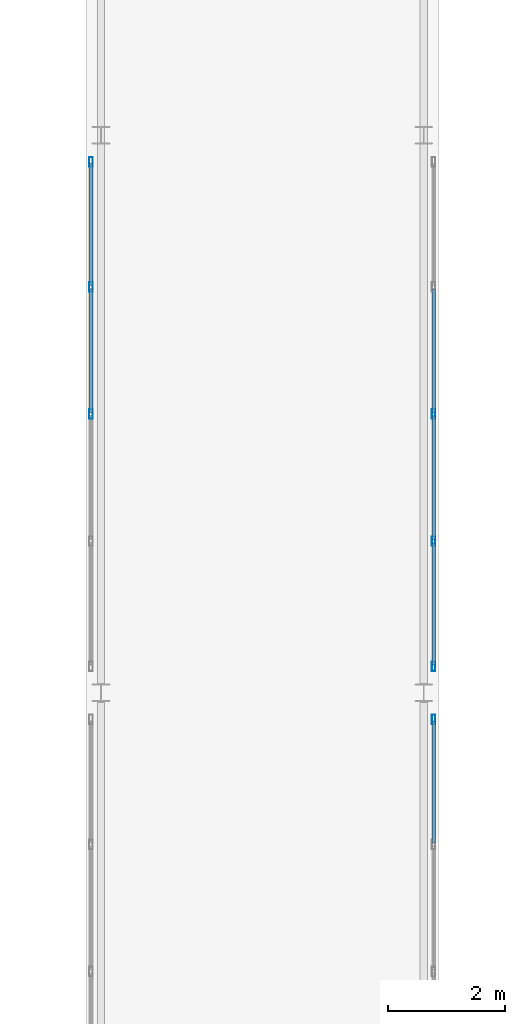
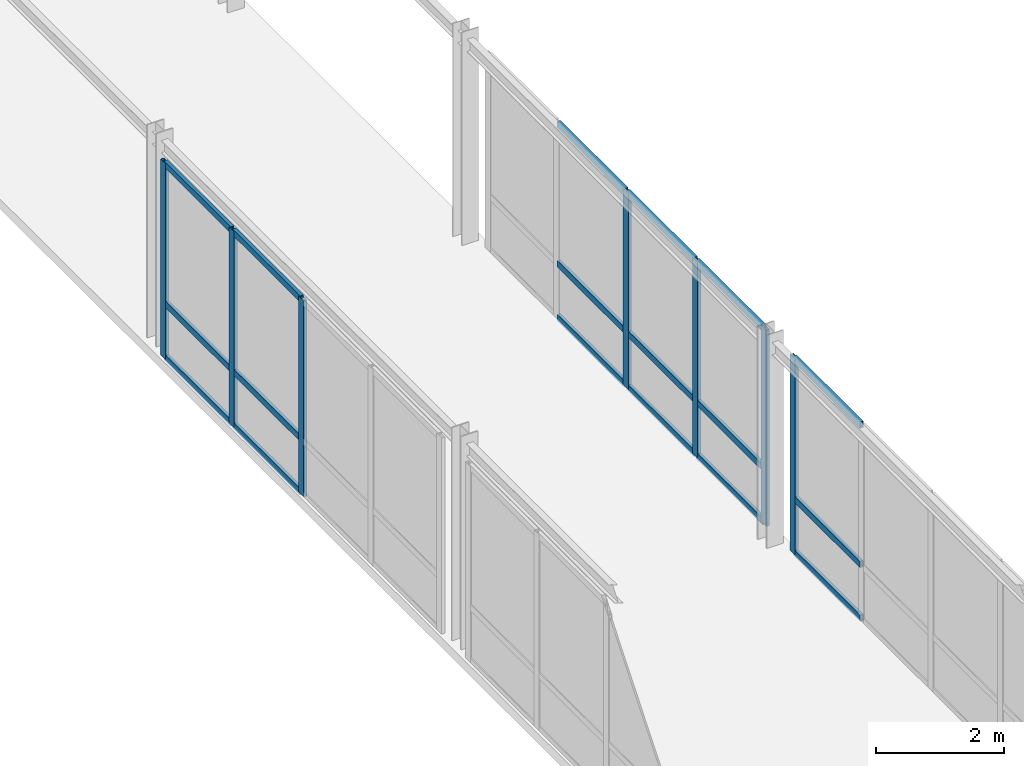
# One storey, part 43 of 165: 25 members, 3 elements without a shape of their own.
"""IFC4 building model written with IfcOpenShell, lengths in metres."""

from ifc_helpers import new_model, si_unit, direction, frame, origin, origin_2d, place, context, subcontext, project, spatial, hollow_rectangle, extrude, material, layer, layer_set, material_profile, profile_set, type_object, element, aggregate, save


model = new_model("IFC4")

# Units and contexts
model_context = context("Model", 3, precision=1e-05, world=origin(), true_north=direction((0.0, 1.0)))
body_context = subcontext(model_context, "Body", "Model", "MODEL_VIEW")
ifc_project = project(units=[si_unit("LENGTHUNIT", "METRE"), si_unit("AREAUNIT", "SQUARE_METRE"), si_unit("VOLUMEUNIT", "CUBIC_METRE"), si_unit("PLANEANGLEUNIT", "RADIAN"), si_unit("MASSUNIT", "GRAM", prefix="KILO")], contexts=[model_context])

# Site, building, storey
site_placement = place(None, origin())
site = spatial("IfcSite", under=ifc_project, at=site_placement, CompositionType="ELEMENT")
building_placement = place(site_placement, origin())
building = spatial("IfcBuilding", under=site, at=building_placement, Name="Montecoro Central Library", CompositionType="ELEMENT")
storey_placement = place(building_placement, frame((0.0, 0.0, 5.10009765625)))
storey = spatial("IfcBuildingStorey", under=building, at=storey_placement, Name="L01", CompositionType="ELEMENT", Elevation=5.10009765625)

# Curtain wall, members
ifc_material_1 = material(Name="Bronze-anodised aluminium and low-E glazing", Category="aluminium")
ifc_layer_1 = layer(ifc_material_1, 0.159912109375)
ifc_layer_set_1 = layer_set([ifc_layer_1], Name="Bronze-anodised aluminium and low-E glazing")
curtain_wall_type_1 = type_object("IfcCurtainWallType", Name="CWT-080", PredefinedType="NOTDEFINED", material=ifc_layer_set_1)
curtain_wall_1_placement = place(storey_placement, origin())
curtain_wall_1 = element("IfcCurtainWall", 1, at=curtain_wall_1_placement, inside=storey, type_object=curtain_wall_type_1, Name="BR-W-L01-CW-W2", PredefinedType="NOTDEFINED")
ifc_material_2 = material(Name="Bronze-anodised aluminium", Category="aluminium")
ifc_material_profile_1 = material_profile(ifc_material_2, hollow_rectangle(XDim=0.06005859375, YDim=0.159912109375, WallThickness=0.00390625, at=origin_2d()), Name="CWM 160x60x4.0")
ifc_profile_set_1 = profile_set([ifc_material_profile_1], Name="Bronze-anodised aluminium")
member_type_1 = type_object("IfcMemberType", Name="CWM-BRZ-60", PredefinedType="MULLION", material=ifc_profile_set_1)
member_1_placement = place(storey_placement, frame((24.8798828125, 59.14990234375, 0.0), z_axis=(0.0, 0.0, 1.0), x_axis=(-1.0, 0.0, 0.0)))
member_1 = element("IfcMember", 2, at=member_1_placement, type_object=member_type_1, Name="CW-080 mullion 3", PredefinedType="MULLION", context=body_context, shape_type="SweptSolid", body=[
    extrude(hollow_rectangle(XDim=0.06005859375, YDim=0.159912109375, WallThickness=0.00390625, at=origin_2d()), origin(), (0.0, 0.0, 1.0), 3.72998046875),
])
member_2_placement = place(storey_placement, frame((24.8798828125, 61.31494140625, 0.0), z_axis=(0.0, 0.0, 1.0), x_axis=(-1.0, 0.0, 0.0)))
member_2 = element("IfcMember", 3, at=member_2_placement, type_object=member_type_1, Name="CW-080 mullion 4", PredefinedType="MULLION", context=body_context, shape_type="SweptSolid", body=[
    extrude(hollow_rectangle(XDim=0.06005859375, YDim=0.159912109375, WallThickness=0.00390625, at=origin_2d()), origin(), (0.0, 0.0, 1.0), 3.72998046875),
])
member_3_placement = place(storey_placement, frame((24.8798828125, 63.449951171875, 0.0), z_axis=(0.0, 0.0, 1.0), x_axis=(-1.0, 0.0, 0.0)))
member_3 = element("IfcMember", 4, at=member_3_placement, type_object=member_type_1, Name="CW-080 mullion 5", PredefinedType="MULLION", context=body_context, shape_type="SweptSolid", body=[
    extrude(hollow_rectangle(XDim=0.06005859375, YDim=0.159912109375, WallThickness=0.00390625, at=origin_2d()), origin(), (0.0, 0.0, 1.0), 3.72998046875),
])

# Curtain wall, member
ifc_layer_2 = layer(ifc_material_1, 0.159912109375)
ifc_layer_set_2 = layer_set([ifc_layer_2], Name="Bronze-anodised aluminium and low-E glazing")
curtain_wall_type_2 = type_object("IfcCurtainWallType", Name="CWT-079", PredefinedType="NOTDEFINED", material=ifc_layer_set_2)
curtain_wall_2_placement = place(storey_placement, origin())
curtain_wall_2 = element("IfcCurtainWall", 5, at=curtain_wall_2_placement, inside=storey, type_object=curtain_wall_type_2, Name="BR-W-L01-CW-E1", PredefinedType="NOTDEFINED")
member_4_placement = place(storey_placement, frame((30.719970703125, 53.949951171875, 0.0), z_axis=(0.0, 0.0, 1.0), x_axis=(-1.0, 0.0, 0.0)))
member_4 = element("IfcMember", 6, at=member_4_placement, type_object=member_type_1, Name="CW-079 mullion 5", PredefinedType="MULLION", context=body_context, shape_type="SweptSolid", body=[
    extrude(hollow_rectangle(XDim=0.06005859375, YDim=0.159912109375, WallThickness=0.00390625, at=origin_2d()), origin(), (0.0, 0.0, 1.0), 3.72998046875),
])

# Curtain wall, members
curtain_wall_3_placement = place(storey_placement, origin())
curtain_wall_3 = element("IfcCurtainWall", 7, at=curtain_wall_3_placement, inside=storey, type_object=curtain_wall_type_1, Name="BR-W-L01-CW-E2", PredefinedType="NOTDEFINED")
member_5_placement = place(storey_placement, frame((30.719970703125, 54.85009765625, 0.0), z_axis=(0.0, 0.0, 1.0), x_axis=(-1.0, 0.0, 0.0)))
member_5 = element("IfcMember", 8, at=member_5_placement, type_object=member_type_1, Name="CW-080 mullion 1", PredefinedType="MULLION", context=body_context, shape_type="SweptSolid", body=[
    extrude(hollow_rectangle(XDim=0.06005859375, YDim=0.159912109375, WallThickness=0.00390625, at=origin_2d()), origin(), (0.0, 0.0, 1.0), 3.72998046875),
])
member_6_placement = place(storey_placement, frame((30.719970703125, 56.985107421875, 0.0), z_axis=(0.0, 0.0, 1.0), x_axis=(-1.0, 0.0, 0.0)))
member_6 = element("IfcMember", 9, at=member_6_placement, type_object=member_type_1, Name="CW-080 mullion 2", PredefinedType="MULLION", context=body_context, shape_type="SweptSolid", body=[
    extrude(hollow_rectangle(XDim=0.06005859375, YDim=0.159912109375, WallThickness=0.00390625, at=origin_2d()), origin(), (0.0, 0.0, 1.0), 3.72998046875),
])
member_7_placement = place(storey_placement, frame((30.719970703125, 59.14990234375, 0.0), z_axis=(0.0, 0.0, 1.0), x_axis=(-1.0, 0.0, 0.0)))
member_7 = element("IfcMember", 10, at=member_7_placement, type_object=member_type_1, Name="CW-080 mullion 3", PredefinedType="MULLION", context=body_context, shape_type="SweptSolid", body=[
    extrude(hollow_rectangle(XDim=0.06005859375, YDim=0.159912109375, WallThickness=0.00390625, at=origin_2d()), origin(), (0.0, 0.0, 1.0), 3.72998046875),
])

# Member
ifc_material_profile_2 = material_profile(ifc_material_2, hollow_rectangle(XDim=0.06005859375, YDim=0.1201171875, WallThickness=0.00390625, at=origin_2d()), Name="CWT 120x60x4.0")
ifc_profile_set_2 = profile_set([ifc_material_profile_2], Name="Bronze-anodised aluminium")
member_type_2 = type_object("IfcMemberType", Name="CWT-BRZ-60", PredefinedType="USERDEFINED", material=ifc_profile_set_2)
member_8_placement = place(storey_placement, frame((24.8798828125, 59.179931640625, 0.02978515625), z_axis=(0.0, 1.0, 0.0), x_axis=(-1.0, 0.0, 0.0)))
member_8 = element("IfcMember", 11, at=member_8_placement, type_object=member_type_2, Name="CW-080 transom 3.1", ObjectType="TRANSOM", PredefinedType="USERDEFINED", context=body_context, shape_type="SweptSolid", body=[
    extrude(hollow_rectangle(XDim=0.06005859375, YDim=0.1201171875, WallThickness=0.00390625, at=origin_2d()), origin(), (0.0, 0.0, 1.0), 2.10498046875),
])

member_9_placement = place(storey_placement, frame((24.8798828125, 59.179931640625, 1.0498046875), z_axis=(0.0, 1.0, 0.0), x_axis=(-1.0, 0.0, 0.0)))
member_9 = element("IfcMember", 12, at=member_9_placement, type_object=member_type_2, Name="CW-080 transom 3.2", ObjectType="TRANSOM", PredefinedType="USERDEFINED", context=body_context, shape_type="SweptSolid", body=[
    extrude(hollow_rectangle(XDim=0.06005859375, YDim=0.1201171875, WallThickness=0.00390625, at=origin_2d()), origin(), (0.0, 0.0, 1.0), 2.10498046875),
])

member_10_placement = place(storey_placement, frame((24.8798828125, 59.179931640625, 3.699951171875), z_axis=(0.0, 1.0, 0.0), x_axis=(-1.0, 0.0, 0.0)))
member_10 = element("IfcMember", 13, at=member_10_placement, type_object=member_type_2, Name="CW-080 transom 3.3", ObjectType="TRANSOM", PredefinedType="USERDEFINED", context=body_context, shape_type="SweptSolid", body=[
    extrude(hollow_rectangle(XDim=0.06005859375, YDim=0.1201171875, WallThickness=0.00390625, at=origin_2d()), origin(), (0.0, 0.0, 1.0), 2.10498046875),
])

member_11_placement = place(storey_placement, frame((24.8798828125, 61.344970703125, 0.02978515625), z_axis=(0.0, 1.0, 0.0), x_axis=(-1.0, 0.0, 0.0)))
member_11 = element("IfcMember", 14, at=member_11_placement, type_object=member_type_2, Name="CW-080 transom 4.1", ObjectType="TRANSOM", PredefinedType="USERDEFINED", context=body_context, shape_type="SweptSolid", body=[
    extrude(hollow_rectangle(XDim=0.06005859375, YDim=0.1201171875, WallThickness=0.00390625, at=origin_2d()), origin(), (0.0, 0.0, 1.0), 2.074951171875),
])

member_12_placement = place(storey_placement, frame((24.8798828125, 61.344970703125, 1.0498046875), z_axis=(0.0, 1.0, 0.0), x_axis=(-1.0, 0.0, 0.0)))
member_12 = element("IfcMember", 15, at=member_12_placement, type_object=member_type_2, Name="CW-080 transom 4.2", ObjectType="TRANSOM", PredefinedType="USERDEFINED", context=body_context, shape_type="SweptSolid", body=[
    extrude(hollow_rectangle(XDim=0.06005859375, YDim=0.1201171875, WallThickness=0.00390625, at=origin_2d()), origin(), (0.0, 0.0, 1.0), 2.074951171875),
])

member_13_placement = place(storey_placement, frame((24.8798828125, 61.344970703125, 3.699951171875), z_axis=(0.0, 1.0, 0.0), x_axis=(-1.0, 0.0, 0.0)))
member_13 = element("IfcMember", 16, at=member_13_placement, type_object=member_type_2, Name="CW-080 transom 4.3", ObjectType="TRANSOM", PredefinedType="USERDEFINED", context=body_context, shape_type="SweptSolid", body=[
    extrude(hollow_rectangle(XDim=0.06005859375, YDim=0.1201171875, WallThickness=0.00390625, at=origin_2d()), origin(), (0.0, 0.0, 1.0), 2.074951171875),
])

aggregate(curtain_wall_1, [member_1, member_2, member_3, member_8, member_9, member_10, member_11, member_12, member_13])

member_14_placement = place(storey_placement, frame((30.719970703125, 51.844970703125, 0.02978515625), z_axis=(0.0, 1.0, 0.0), x_axis=(-1.0, 0.0, 0.0)))
member_14 = element("IfcMember", 17, at=member_14_placement, type_object=member_type_2, Name="CW-079 transom 4.1", ObjectType="TRANSOM", PredefinedType="USERDEFINED", context=body_context, shape_type="SweptSolid", body=[
    extrude(hollow_rectangle(XDim=0.06005859375, YDim=0.1201171875, WallThickness=0.00390625, at=origin_2d()), origin(), (0.0, 0.0, 1.0), 2.074951171875),
])

member_15_placement = place(storey_placement, frame((30.719970703125, 51.844970703125, 1.0498046875), z_axis=(0.0, 1.0, 0.0), x_axis=(-1.0, 0.0, 0.0)))
member_15 = element("IfcMember", 18, at=member_15_placement, type_object=member_type_2, Name="CW-079 transom 4.2", ObjectType="TRANSOM", PredefinedType="USERDEFINED", context=body_context, shape_type="SweptSolid", body=[
    extrude(hollow_rectangle(XDim=0.06005859375, YDim=0.1201171875, WallThickness=0.00390625, at=origin_2d()), origin(), (0.0, 0.0, 1.0), 2.074951171875),
])

member_16_placement = place(storey_placement, frame((30.719970703125, 51.844970703125, 3.699951171875), z_axis=(0.0, 1.0, 0.0), x_axis=(-1.0, 0.0, 0.0)))
member_16 = element("IfcMember", 19, at=member_16_placement, type_object=member_type_2, Name="CW-079 transom 4.3", ObjectType="TRANSOM", PredefinedType="USERDEFINED", context=body_context, shape_type="SweptSolid", body=[
    extrude(hollow_rectangle(XDim=0.06005859375, YDim=0.1201171875, WallThickness=0.00390625, at=origin_2d()), origin(), (0.0, 0.0, 1.0), 2.074951171875),
])

aggregate(curtain_wall_2, [member_4, member_14, member_15, member_16])

member_17_placement = place(storey_placement, frame((30.719970703125, 54.8798828125, 0.02978515625), z_axis=(0.0, 1.0, 0.0), x_axis=(-1.0, 0.0, 0.0)))
member_17 = element("IfcMember", 20, at=member_17_placement, type_object=member_type_2, Name="CW-080 transom 1.1", ObjectType="TRANSOM", PredefinedType="USERDEFINED", context=body_context, shape_type="SweptSolid", body=[
    extrude(hollow_rectangle(XDim=0.06005859375, YDim=0.1201171875, WallThickness=0.00390625, at=origin_2d()), origin(), (0.0, 0.0, 1.0), 2.0751953125),
])

member_18_placement = place(storey_placement, frame((30.719970703125, 54.8798828125, 1.0498046875), z_axis=(0.0, 1.0, 0.0), x_axis=(-1.0, 0.0, 0.0)))
member_18 = element("IfcMember", 21, at=member_18_placement, type_object=member_type_2, Name="CW-080 transom 1.2", ObjectType="TRANSOM", PredefinedType="USERDEFINED", context=body_context, shape_type="SweptSolid", body=[
    extrude(hollow_rectangle(XDim=0.06005859375, YDim=0.1201171875, WallThickness=0.00390625, at=origin_2d()), origin(), (0.0, 0.0, 1.0), 2.0751953125),
])

member_19_placement = place(storey_placement, frame((30.719970703125, 54.8798828125, 3.699951171875), z_axis=(0.0, 1.0, 0.0), x_axis=(-1.0, 0.0, 0.0)))
member_19 = element("IfcMember", 22, at=member_19_placement, type_object=member_type_2, Name="CW-080 transom 1.3", ObjectType="TRANSOM", PredefinedType="USERDEFINED", context=body_context, shape_type="SweptSolid", body=[
    extrude(hollow_rectangle(XDim=0.06005859375, YDim=0.1201171875, WallThickness=0.00390625, at=origin_2d()), origin(), (0.0, 0.0, 1.0), 2.0751953125),
])

member_20_placement = place(storey_placement, frame((30.719970703125, 57.014892578125, 0.02978515625), z_axis=(0.0, 1.0, 0.0), x_axis=(-1.0, 0.0, 0.0)))
member_20 = element("IfcMember", 23, at=member_20_placement, type_object=member_type_2, Name="CW-080 transom 2.1", ObjectType="TRANSOM", PredefinedType="USERDEFINED", context=body_context, shape_type="SweptSolid", body=[
    extrude(hollow_rectangle(XDim=0.06005859375, YDim=0.1201171875, WallThickness=0.00390625, at=origin_2d()), origin(), (0.0, 0.0, 1.0), 2.105224609375),
])

member_21_placement = place(storey_placement, frame((30.719970703125, 57.014892578125, 1.0498046875), z_axis=(0.0, 1.0, 0.0), x_axis=(-1.0, 0.0, 0.0)))
member_21 = element("IfcMember", 24, at=member_21_placement, type_object=member_type_2, Name="CW-080 transom 2.2", ObjectType="TRANSOM", PredefinedType="USERDEFINED", context=body_context, shape_type="SweptSolid", body=[
    extrude(hollow_rectangle(XDim=0.06005859375, YDim=0.1201171875, WallThickness=0.00390625, at=origin_2d()), origin(), (0.0, 0.0, 1.0), 2.105224609375),
])

member_22_placement = place(storey_placement, frame((30.719970703125, 57.014892578125, 3.699951171875), z_axis=(0.0, 1.0, 0.0), x_axis=(-1.0, 0.0, 0.0)))
member_22 = element("IfcMember", 25, at=member_22_placement, type_object=member_type_2, Name="CW-080 transom 2.3", ObjectType="TRANSOM", PredefinedType="USERDEFINED", context=body_context, shape_type="SweptSolid", body=[
    extrude(hollow_rectangle(XDim=0.06005859375, YDim=0.1201171875, WallThickness=0.00390625, at=origin_2d()), origin(), (0.0, 0.0, 1.0), 2.105224609375),
])

member_23_placement = place(storey_placement, frame((30.719970703125, 59.179931640625, 0.02978515625), z_axis=(0.0, 1.0, 0.0), x_axis=(-1.0, 0.0, 0.0)))
member_23 = element("IfcMember", 26, at=member_23_placement, type_object=member_type_2, Name="CW-080 transom 3.1", ObjectType="TRANSOM", PredefinedType="USERDEFINED", context=body_context, shape_type="SweptSolid", body=[
    extrude(hollow_rectangle(XDim=0.06005859375, YDim=0.1201171875, WallThickness=0.00390625, at=origin_2d()), origin(), (0.0, 0.0, 1.0), 2.10498046875),
])

member_24_placement = place(storey_placement, frame((30.719970703125, 59.179931640625, 1.0498046875), z_axis=(0.0, 1.0, 0.0), x_axis=(-1.0, 0.0, 0.0)))
member_24 = element("IfcMember", 27, at=member_24_placement, type_object=member_type_2, Name="CW-080 transom 3.2", ObjectType="TRANSOM", PredefinedType="USERDEFINED", context=body_context, shape_type="SweptSolid", body=[
    extrude(hollow_rectangle(XDim=0.06005859375, YDim=0.1201171875, WallThickness=0.00390625, at=origin_2d()), origin(), (0.0, 0.0, 1.0), 2.10498046875),
])

member_25_placement = place(storey_placement, frame((30.719970703125, 59.179931640625, 3.699951171875), z_axis=(0.0, 1.0, 0.0), x_axis=(-1.0, 0.0, 0.0)))
member_25 = element("IfcMember", 28, at=member_25_placement, type_object=member_type_2, Name="CW-080 transom 3.3", ObjectType="TRANSOM", PredefinedType="USERDEFINED", context=body_context, shape_type="SweptSolid", body=[
    extrude(hollow_rectangle(XDim=0.06005859375, YDim=0.1201171875, WallThickness=0.00390625, at=origin_2d()), origin(), (0.0, 0.0, 1.0), 2.10498046875),
])

aggregate(curtain_wall_3, [member_5, member_6, member_7, member_17, member_18, member_19, member_20, member_21, member_22, member_23, member_24, member_25])

save(model, "model.ifc")
